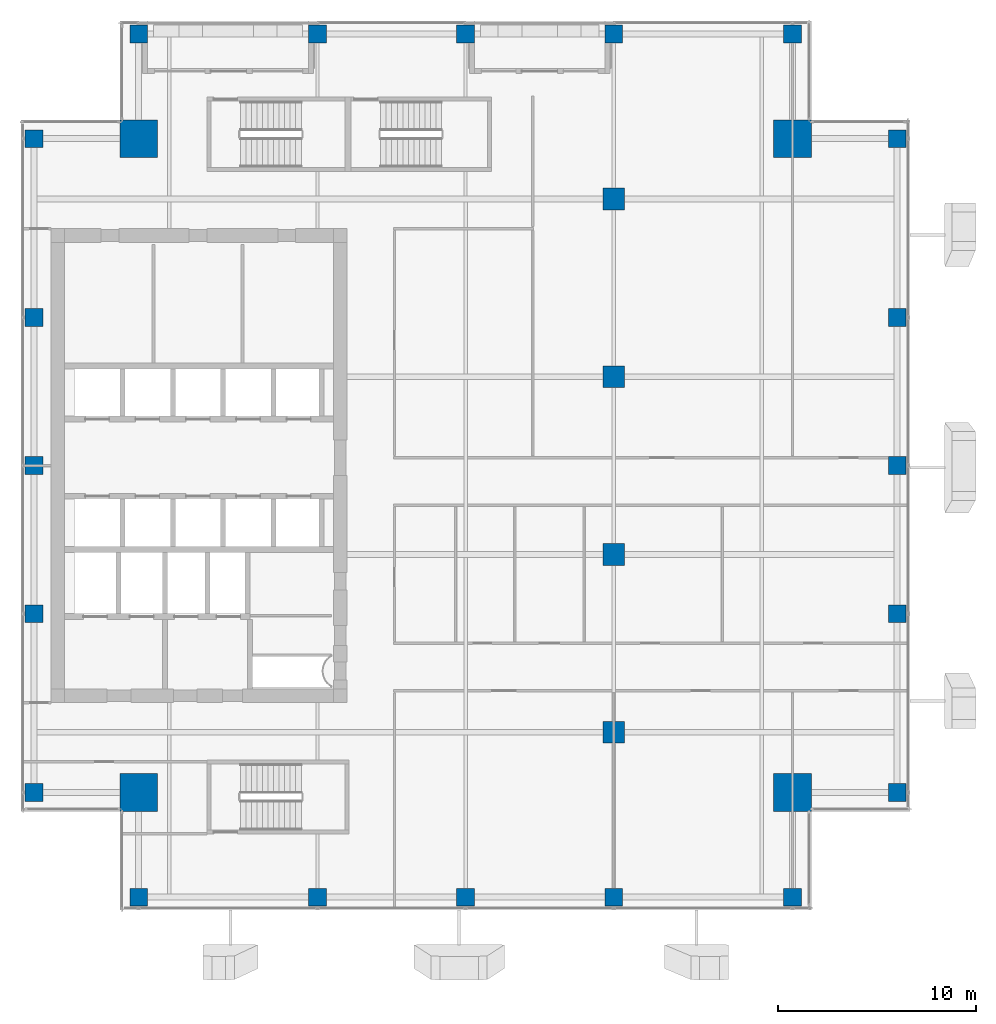
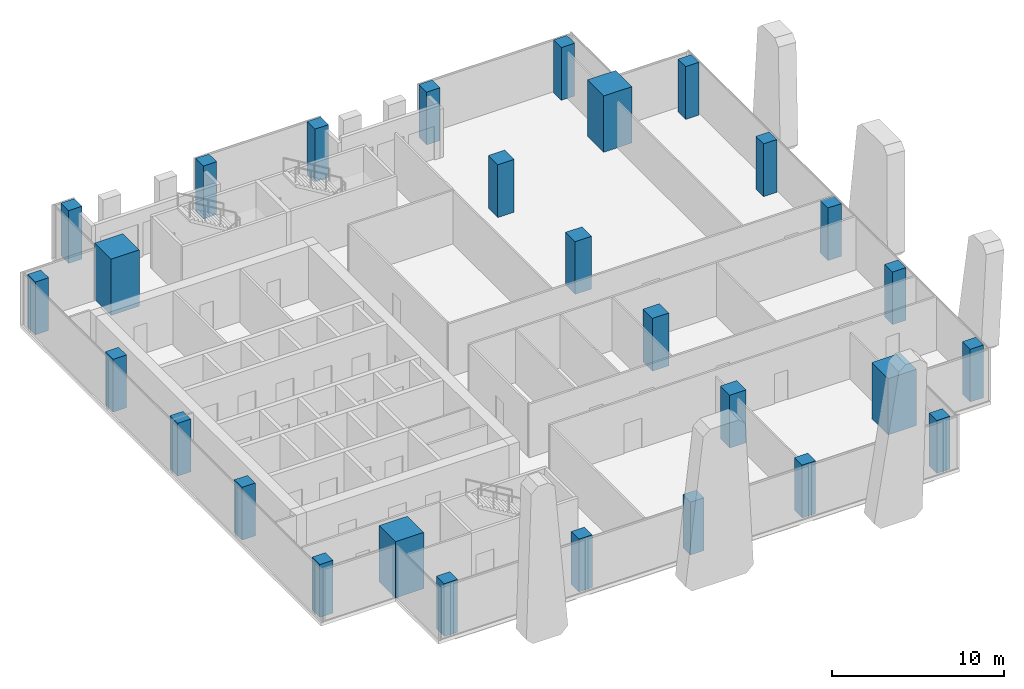
# One storey, part 1 of 36: 28 columns.
"""IFC4 building model written with IfcOpenShell, lengths in metres."""

from ifc_helpers import new_model, si_unit, direction, frame, origin, origin_2d, place, context, subcontext, project, spatial, rectangle, extrude, source, transform, mapped, material, material_profile, profile_set, type_object, element, save


model = new_model("IFC4")

# Units and contexts
model_context = context("Model", 3, precision=1e-05, world=origin(), true_north=direction((0.0, 1.0)))
body_context = subcontext(model_context, "Body", "Model", "MODEL_VIEW")
ifc_project = project(units=[si_unit("LENGTHUNIT", "METRE"), si_unit("AREAUNIT", "SQUARE_METRE"), si_unit("VOLUMEUNIT", "CUBIC_METRE"), si_unit("PLANEANGLEUNIT", "RADIAN"), si_unit("MASSUNIT", "GRAM", prefix="KILO")], contexts=[model_context])

# Site, building, storey
site_placement = place(None, origin())
site = spatial("IfcSite", under=ifc_project, at=site_placement, CompositionType="ELEMENT")
building_placement = place(site_placement, origin())
building = spatial("IfcBuilding", under=site, at=building_placement, Name="Khomas Fold Tower", CompositionType="ELEMENT")
storey_placement = place(building_placement, frame((0.0, 0.0, 238.199951171875)))
storey = spatial("IfcBuildingStorey", under=building, at=storey_placement, Name="L53", CompositionType="ELEMENT", Elevation=238.199951171875)

# Columns
ifc_material_1 = material(Name="Concrete C60/75", Category="concrete")
ifc_material_profile_1 = material_profile(ifc_material_1, rectangle(XDim=1.89990234375, YDim=1.89990234375, at=origin_2d()), Name="RC 1900x1900")
ifc_profile_set_1 = profile_set([ifc_material_profile_1], Name="Concrete C60/75")
column_type_1 = type_object("IfcColumnType", Name="RC 1900x1900 column", PredefinedType="COLUMN", material=ifc_profile_set_1)
shared_shape_1 = source(origin(), body_context, "Body", "SweptSolid", [
    extrude(rectangle(XDim=1.89990234375, YDim=1.89990234375, at=origin_2d()), origin(), (0.0, 0.0, 1.0), 4.0),
])
for number, where, z_axis, x_axis, name in (
    (1, (43.550048828125, 43.550048828125, 0.0), (0.0, 0.0, 1.0), (1.0, 0.0, 0.0), "CM-NE"),
    (2, (10.449951171875, 43.550048828125, 0.0), (0.0, 0.0, 1.0), (1.0, 0.0, 0.0), "CM-NW"),
    (3, (43.550048828125, 10.449951171875, 0.0), (0.0, 0.0, 1.0), (1.0, 0.0, 0.0), "CM-SE"),
    (4, (10.449951171875, 10.449951171875, 0.0), (0.0, 0.0, 1.0), (1.0, 0.0, 0.0), "CM-SW"),
):
    element("IfcColumn", number, at=place(storey_placement, frame(where, z_axis=z_axis, x_axis=x_axis)), inside=storey, type_object=column_type_1, Name=name, PredefinedType="COLUMN", context=body_context, shape_type="MappedRepresentation", body=[
        mapped(shared_shape_1, transform((0.0, 0.0, 0.0))),
    ])
ifc_material_2 = material(Name="Concrete C50/60", Category="concrete")
ifc_material_profile_2 = material_profile(ifc_material_2, rectangle(XDim=0.89990234375, YDim=0.89990234375, at=origin_2d()), Name="RC 900x900")
ifc_profile_set_2 = profile_set([ifc_material_profile_2], Name="Concrete C50/60")
column_type_2 = type_object("IfcColumnType", Name="RC 900x900 column", PredefinedType="COLUMN", material=ifc_profile_set_2)
shared_shape_2 = source(origin(), body_context, "Body", "SweptSolid", [
    extrude(rectangle(XDim=0.89990234375, YDim=0.89990234375, at=origin_2d()), origin(), (0.0, 0.0, 1.0), 3.75),
])
for number, where, z_axis, x_axis, name in (
    (5, (10.449951171875, 5.14990234375, 0.0), (0.0, 0.0, 1.0), (1.0, 0.0, 0.0), "C-5-SF4"),
    (6, (19.5, 5.14990234375, 0.0), (0.0, 0.0, 1.0), (1.0, 0.0, 0.0), "C-8-SF4"),
    (7, (27.0, 5.14990234375, 0.0), (0.0, 0.0, 1.0), (1.0, 0.0, 0.0), "C-9-SF4"),
    (8, (34.5, 5.14990234375, 0.0), (0.0, 0.0, 1.0), (1.0, 0.0, 0.0), "C-10-SF4"),
    (9, (43.550048828125, 5.14990234375, 0.0), (0.0, 0.0, 1.0), (1.0, 0.0, 0.0), "C-14-SF4"),
    (10, (48.85009765625, 10.449951171875, 0.0), (0.0, 0.0, 1.0), (1.0, 0.0, 0.0), "C-E4-E"),
    (11, (48.85009765625, 19.5, 0.0), (0.0, 0.0, 1.0), (1.0, 0.0, 0.0), "C-E4-J"),
    (12, (48.85009765625, 27.0, 0.0), (0.0, 0.0, 1.0), (1.0, 0.0, 0.0), "C-E4-L"),
    (13, (48.85009765625, 34.5, 0.0), (0.0, 0.0, 1.0), (1.0, 0.0, 0.0), "C-E4-N"),
    (14, (48.85009765625, 43.550048828125, 0.0), (0.0, 0.0, 1.0), (1.0, 0.0, 0.0), "C-E4-S"),
    (15, (10.449951171875, 48.85009765625, 0.0), (0.0, 0.0, 1.0), (1.0, 0.0, 0.0), "C-5-NF4"),
    (16, (19.5, 48.85009765625, 0.0), (0.0, 0.0, 1.0), (1.0, 0.0, 0.0), "C-8-NF4"),
    (17, (27.0, 48.85009765625, 0.0), (0.0, 0.0, 1.0), (1.0, 0.0, 0.0), "C-9-NF4"),
    (18, (34.5, 48.85009765625, 0.0), (0.0, 0.0, 1.0), (1.0, 0.0, 0.0), "C-10-NF4"),
    (19, (43.550048828125, 48.85009765625, 0.0), (0.0, 0.0, 1.0), (1.0, 0.0, 0.0), "C-14-NF4"),
    (20, (5.14990234375, 10.449951171875, 0.0), (0.0, 0.0, 1.0), (1.0, 0.0, 0.0), "C-W4-E"),
    (21, (5.14990234375, 19.5, 0.0), (0.0, 0.0, 1.0), (1.0, 0.0, 0.0), "C-W4-J"),
    (22, (5.14990234375, 27.0, 0.0), (0.0, 0.0, 1.0), (1.0, 0.0, 0.0), "C-W4-L"),
    (23, (5.14990234375, 34.5, 0.0), (0.0, 0.0, 1.0), (1.0, 0.0, 0.0), "C-W4-N"),
    (24, (5.14990234375, 43.550048828125, 0.0), (0.0, 0.0, 1.0), (1.0, 0.0, 0.0), "C-W4-S"),
):
    element("IfcColumn", number, at=place(storey_placement, frame(where, z_axis=z_axis, x_axis=x_axis)), inside=storey, type_object=column_type_2, Name=name, PredefinedType="COLUMN", context=body_context, shape_type="MappedRepresentation", body=[
        mapped(shared_shape_2, transform((0.0, 0.0, 0.0))),
    ])
ifc_material_3 = material(Name="Concrete C50/60", Category="concrete")
ifc_material_profile_3 = material_profile(ifc_material_3, rectangle(XDim=1.10009765625, YDim=1.10009765625, at=origin_2d()), Name="RC 1100x1100")
ifc_profile_set_3 = profile_set([ifc_material_profile_3], Name="Concrete C50/60")
column_type_3 = type_object("IfcColumnType", Name="RC 1100x1100 column", PredefinedType="COLUMN", material=ifc_profile_set_3)
shared_shape_3 = source(origin(), body_context, "Body", "SweptSolid", [
    extrude(rectangle(XDim=1.10009765625, YDim=1.10009765625, at=origin_2d()), origin(), (0.0, 0.0, 1.0), 3.75),
])
for number, where, z_axis, x_axis, name in (
    (25, (34.5, 13.5, 0.0), (0.0, 0.0, 1.0), (1.0, 0.0, 0.0), "C-10-H"),
    (26, (34.5, 22.5, 0.0), (0.0, 0.0, 1.0), (1.0, 0.0, 0.0), "C-10-K"),
    (27, (34.5, 31.5, 0.0), (0.0, 0.0, 1.0), (1.0, 0.0, 0.0), "C-10-M"),
    (28, (34.5, 40.5, 0.0), (0.0, 0.0, 1.0), (1.0, 0.0, 0.0), "C-10-P"),
):
    element("IfcColumn", number, at=place(storey_placement, frame(where, z_axis=z_axis, x_axis=x_axis)), inside=storey, type_object=column_type_3, Name=name, PredefinedType="COLUMN", context=body_context, shape_type="MappedRepresentation", body=[
        mapped(shared_shape_3, transform((0.0, 0.0, 0.0))),
    ])

save(model, "model.ifc")
